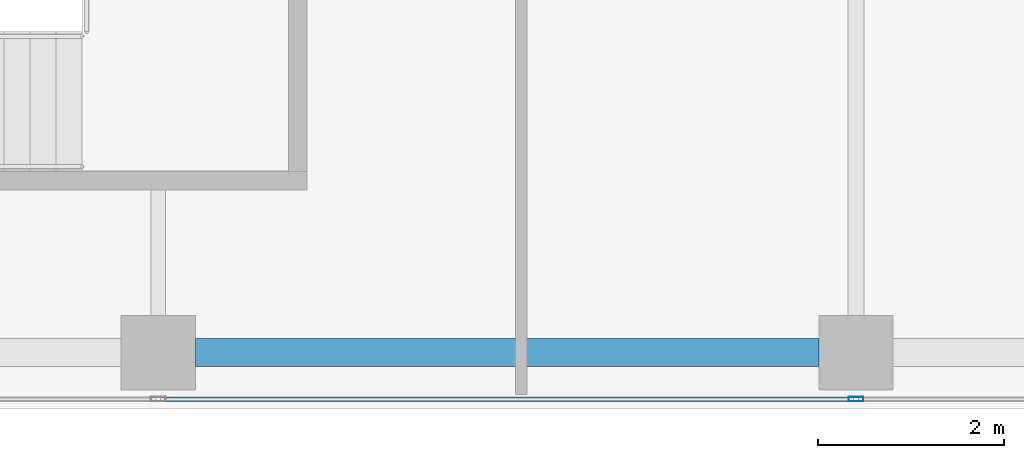
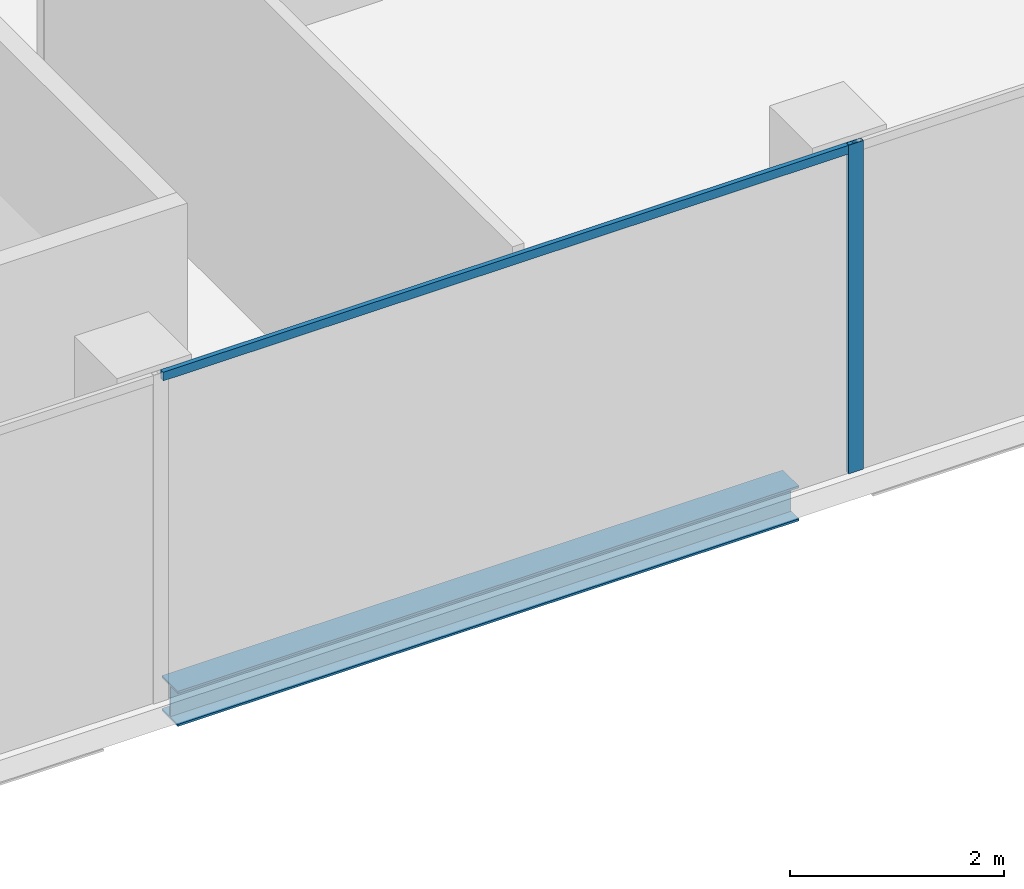
# One storey, part 5 of 29: 2 members, 1 beam, 1 element without a shape of its own.
"""IFC4 building model written with IfcOpenShell, lengths in metres."""

from ifc_helpers import new_model, si_unit, direction, frame, origin, origin_2d, place, context, subcontext, project, spatial, hollow_rectangle, i_section, extrude, source, transform, mapped, material, material_profile, profile_set, type_object, element, aggregate, save


model = new_model("IFC4")

# Units and contexts
model_context = context("Model", 3, precision=1e-05, world=origin(), true_north=direction((0.0, 1.0)))
body_context = subcontext(model_context, "Body", "Model", "MODEL_VIEW")
ifc_project = project(units=[si_unit("LENGTHUNIT", "METRE"), si_unit("AREAUNIT", "SQUARE_METRE"), si_unit("VOLUMEUNIT", "CUBIC_METRE"), si_unit("PLANEANGLEUNIT", "RADIAN"), si_unit("MASSUNIT", "GRAM", prefix="KILO")], contexts=[model_context])

# Site, building, storey
site_placement = place(None, origin())
site = spatial("IfcSite", under=ifc_project, at=site_placement, CompositionType="ELEMENT")
building_placement = place(site_placement, origin())
building = spatial("IfcBuilding", under=site, at=building_placement, Name="Khomas Fold Tower", CompositionType="ELEMENT")
storey_placement = place(building_placement, frame((0.0, 0.0, 322.199951171875)))
storey = spatial("IfcBuildingStorey", under=building, at=storey_placement, Name="L73", CompositionType="ELEMENT", Elevation=322.199951171875)

# Beam
ifc_material_1 = material(Name="Steel S355", Category="steel")
ifc_material_profile_1 = material_profile(ifc_material_1, i_section(OverallWidth=0.300048828125, OverallDepth=0.39990234375, WebThickness=0.013427734375, FlangeThickness=0.02392578125, at=origin_2d()), Name="HE 400 B")
ifc_profile_set_1 = profile_set([ifc_material_profile_1], Name="Steel S355")
beam_type = type_object("IfcBeamType", Name="HE 400 B spandrel SB5", PredefinedType="SPANDREL", material=ifc_profile_set_1)
shared_shape_1 = source(origin(), body_context, "Body", "SweptSolid", [
    extrude(i_section(OverallWidth=0.300048828125, OverallDepth=0.39990234375, WebThickness=0.013427734375, FlangeThickness=0.02392578125, at=origin_2d()), origin(), (0.0, 0.0, 1.0), 6.7001953125),
])
beam_placement = place(storey_placement, frame((19.89990234375, 6.60009765625, -0.449951171875), z_axis=(1.0, 0.0, 0.0), x_axis=(0.0, 1.0, 0.0)))
element("IfcBeam", 1, at=beam_placement, inside=storey, type_object=beam_type, Name="SB5", PredefinedType="SPANDREL", context=body_context, shape_type="MappedRepresentation", body=[
    mapped(shared_shape_1, transform((0.0, 0.0, 0.0))),
])

# Curtain wall, members
ifc_material_2 = material(Name="Aluminium framed double glazing", Category="aluminium")
curtain_wall_type = type_object("IfcCurtainWallType", Name="SK-Unitised clear-glass wall, upper floors CW3", PredefinedType="NOTDEFINED", material=ifc_material_2)
curtain_wall_placement = place(storey_placement, origin())
curtain_wall = element("IfcCurtainWall", 2, at=curtain_wall_placement, inside=storey, type_object=curtain_wall_type, Name="CW3 run L73 00-0", PredefinedType="NOTDEFINED")
ifc_material_3 = material(Name="Aluminium", Category="aluminium")
ifc_material_profile_2 = material_profile(ifc_material_3, hollow_rectangle(XDim=0.050048828125, YDim=0.159912109375, WallThickness=0.00390625, at=origin_2d()), Name="SK-Unitised clear-glass wall, upper floors mullion CW3-M")
ifc_profile_set_2 = profile_set([ifc_material_profile_2], Name="Aluminium")
member_type_1 = type_object("IfcMemberType", Name="SK-Unitised clear-glass wall, upper floors mullion CW3-M", PredefinedType="MULLION", material=ifc_profile_set_2)
shared_shape_2 = source(origin(), body_context, "Body", "SweptSolid", [
    extrude(hollow_rectangle(XDim=0.050048828125, YDim=0.159912109375, WallThickness=0.00390625, at=origin_2d()), origin(), (0.0, 0.0, 1.0), 3.75),
])
member_1_placement = place(storey_placement, frame((27.0, 6.10009765625, 0.0), z_axis=(0.0, 0.0, 1.0), x_axis=(0.0, 1.0, 0.0)))
member_1 = element("IfcMember", 3, at=member_1_placement, type_object=member_type_1, Name="CW3 mullion 4", PredefinedType="MULLION", context=body_context, shape_type="MappedRepresentation", body=[
    mapped(shared_shape_2, transform((0.0, 0.0, 0.0))),
])
ifc_material_4 = material(Name="Aluminium", Category="aluminium")
ifc_material_profile_3 = material_profile(ifc_material_4, hollow_rectangle(XDim=0.050048828125, YDim=0.10009765625, WallThickness=0.00390625, at=origin_2d()), Name="SK-Unitised clear-glass wall, upper floors transom CW3-T")
ifc_profile_set_3 = profile_set([ifc_material_profile_3], Name="Aluminium")
member_type_2 = type_object("IfcMemberType", Name="SK-Unitised clear-glass wall, upper floors transom CW3-T", PredefinedType="USERDEFINED", material=ifc_profile_set_3)
shared_shape_3 = source(origin(), body_context, "Body", "SweptSolid", [
    extrude(hollow_rectangle(XDim=0.050048828125, YDim=0.10009765625, WallThickness=0.00390625, at=origin_2d()), origin(), (0.0, 0.0, 1.0), 7.4501953125),
])
member_2_placement = place(storey_placement, frame((19.52490234375, 6.10009765625, 3.699951171875), z_axis=(1.0, 0.0, 0.0), x_axis=(0.0, 1.0, 0.0)))
member_2 = element("IfcMember", 4, at=member_2_placement, type_object=member_type_2, Name="CW3 transom 3", ObjectType="TRANSOM", PredefinedType="USERDEFINED", context=body_context, shape_type="MappedRepresentation", body=[
    mapped(shared_shape_3, transform((0.0, 0.0, 0.0))),
])
aggregate(curtain_wall, [member_1, member_2])

save(model, "model.ifc")
